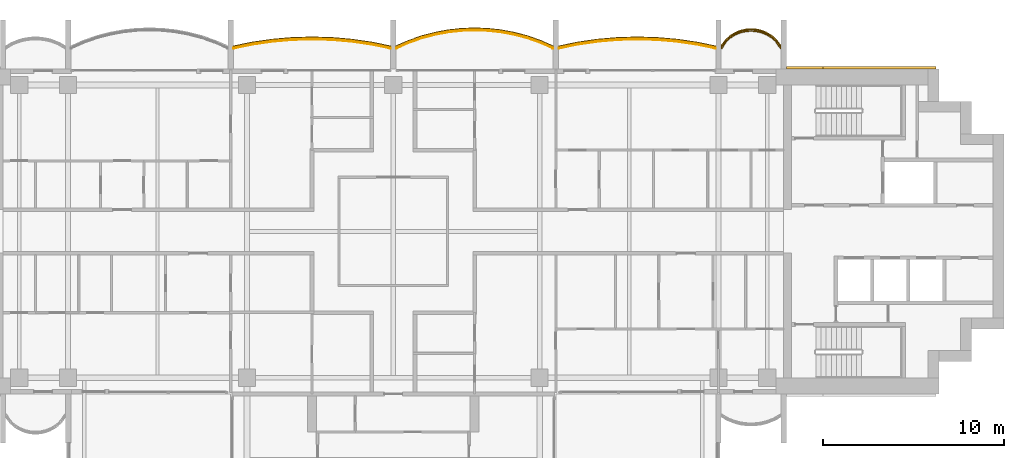
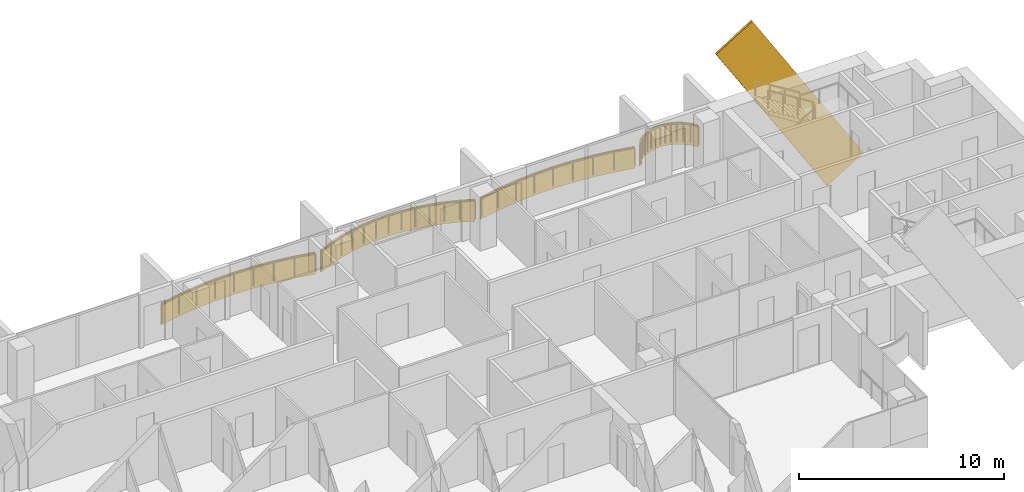
# One storey, part 18 of 18: 5 coverings, 4 railings.
"""IFC4 building model written with IfcOpenShell, lengths in metres."""

import ifcopenshell
import ifcopenshell.guid

model = None  # the IFC model being written
_history = None  # IfcOwnerHistory: only IFC2X3 demands one
_inside = {}  # id of a spatial element -> (the spatial element, [elements in it])
_under = {}  # id of a project, library or spatial element -> (it, [spatial elements below it])
_declared = {}  # id of a project -> (the project, [libraries it declares])
_typed = {}  # id of a type object -> (the type object, [elements of that type])
_made_of = {}  # id of a material, layer set ... -> (it, [elements and type objects made of it])


def new_model(schema):
    """Start an empty IFC model of exactly this schema.

    Asked for "IFC4X3", IfcOpenShell would pick the latest addendum, in which some entities
    have other attributes; the version numbers below select the first issue.
    IFC2X3 requires an IfcOwnerHistory on every rooted entity: one is made here for all.
    """
    global model, _history
    if schema == "IFC4X3":
        model = ifcopenshell.file(schema_version=(4, 3, 0, 0))
    else:
        model = ifcopenshell.file(schema=schema)
    _inside.clear()
    _under.clear()
    _declared.clear()
    _typed.clear()
    _made_of.clear()
    _history = None
    if model.schema == "IFC2X3":
        org = make("IfcOrganization", Name="unknown")
        user = make(
            "IfcPersonAndOrganization",
            ThePerson=make("IfcPerson", FamilyName="unknown"),
            TheOrganization=org,
        )
        app = make(
            "IfcApplication",
            ApplicationDeveloper=org,
            Version="unknown",
            ApplicationFullName="unknown",
            ApplicationIdentifier="unknown",
        )
        _history = make(
            "IfcOwnerHistory",
            OwningUser=user,
            OwningApplication=app,
            ChangeAction="ADDED",
            CreationDate=0,
        )
    return model


def make(cls, **values):
    """One entity of the class cls with the attributes given. An attribute that is None is left unset."""
    return model.create_entity(
        cls, **{name: value for name, value in values.items() if value is not None}
    )


def rooted(cls, **values):
    """An entity with a GlobalId (a new one), such as an element, a storey or a relation."""
    return make(cls, GlobalId=ifcopenshell.guid.new(), OwnerHistory=_history, **values)


def si_unit(unit_type, name, prefix=None):
    """IfcSIUnit, for example si_unit("LENGTHUNIT", "METRE", prefix="MILLI")."""
    return make("IfcSIUnit", UnitType=unit_type, Prefix=prefix, Name=name)


def assignment(units):
    """IfcUnitAssignment: the units of a project."""
    return None if units is None else make("IfcUnitAssignment", Units=units)


def point(xyz):
    """IfcCartesianPoint."""
    return None if xyz is None else make("IfcCartesianPoint", Coordinates=xyz)


def direction(xyz):
    """IfcDirection."""
    return None if xyz is None else make("IfcDirection", DirectionRatios=xyz)


def frame(location, z_axis=None, x_axis=None):
    """IfcAxis2Placement3D, a coordinate frame: its origin and axes. An axis left out is left unset."""
    return make(
        "IfcAxis2Placement3D",
        Location=point(location),
        Axis=direction(z_axis),
        RefDirection=direction(x_axis),
    )


def frame_2d(location, x_axis=None):
    """IfcAxis2Placement2D, a coordinate frame in the plane: its origin and x axis."""
    return make(
        "IfcAxis2Placement2D", Location=point(location), RefDirection=direction(x_axis)
    )


def origin():
    """The frame at (0, 0, 0) with its axes left unset."""
    return frame((0.0, 0.0, 0.0))


def origin_2d():
    """The frame at (0, 0) in the plane with its x axis left unset."""
    return frame_2d((0.0, 0.0))


def place(relative_to, where):
    """IfcLocalPlacement: puts the frame where relative to a parent placement (None: the world)."""
    return make(
        "IfcLocalPlacement", PlacementRelTo=relative_to, RelativePlacement=where
    )


def context(
    kind, dimensions, precision=None, world=None, true_north=None, identifier=None
):
    """IfcGeometricRepresentationContext, for example the 3D "Model" context."""
    return make(
        "IfcGeometricRepresentationContext",
        ContextIdentifier=identifier,
        ContextType=kind,
        CoordinateSpaceDimension=dimensions,
        Precision=precision,
        WorldCoordinateSystem=world,
        TrueNorth=true_north,
    )


def subcontext(parent, identifier, kind, view, scale=None):
    """IfcGeometricRepresentationSubContext, for example "Body" below "Model"."""
    return make(
        "IfcGeometricRepresentationSubContext",
        ContextIdentifier=identifier,
        ContextType=kind,
        ParentContext=parent,
        TargetScale=scale,
        TargetView=view,
    )


def project(units=None, contexts=None):
    """IfcProject with its units and contexts."""
    return rooted(
        "IfcProject",
        Name="project",
        RepresentationContexts=contexts,
        UnitsInContext=assignment(units),
    )


def spatial(cls, under=None, at=None, **own):
    """A site, building, storey or space (cls), placed at a placement, below another one or the project."""
    s = rooted(cls, ObjectPlacement=at, **own)
    if under is not None:
        _under.setdefault(under.id(), (under, []))[1].append(s)
    return s


def polyline(points):
    """IfcPolyline through the points."""
    return make("IfcPolyline", Points=[point(p) for p in points])


def profile(cls, at=None, kind="AREA", **sizes):
    """A parametric profile (cls). Its sizes go by their IFC names, for example OverallWidth=200.0."""
    return make(cls, ProfileType=kind, Position=at, **sizes)


def rectangle(**sizes):
    """IfcRectangleProfileDef."""
    return profile("IfcRectangleProfileDef", **sizes)


def outline(outer, holes=None, kind="AREA"):
    """IfcArbitraryClosedProfileDef: a profile drawn as a closed curve; with holes, ...WithVoids."""
    if holes is None:
        return make("IfcArbitraryClosedProfileDef", ProfileType=kind, OuterCurve=outer)
    return make(
        "IfcArbitraryProfileDefWithVoids",
        ProfileType=kind,
        OuterCurve=outer,
        InnerCurves=holes,
    )


def extrude(swept, where, along, depth):
    """IfcExtrudedAreaSolid: the profile swept, set in the frame where, extruded along a direction by depth."""
    return make(
        "IfcExtrudedAreaSolid",
        SweptArea=swept,
        Position=where,
        ExtrudedDirection=direction(along),
        Depth=depth,
    )


def shape(context_of_items, identifier, shape_type, items):
    """IfcShapeRepresentation: the items that make up one representation, for example the "Body"."""
    return make(
        "IfcShapeRepresentation",
        ContextOfItems=context_of_items,
        RepresentationIdentifier=identifier,
        RepresentationType=shape_type,
        Items=items,
    )


def material(Name=None, Category=None):
    """IfcMaterial."""
    return make("IfcMaterial", Name=Name, Category=Category)


def layer(
    of_material, thickness, ventilated=None, Name=None, Category=None, Priority=None
):
    """IfcMaterialLayer: one layer of a wall or slab, of a material (None: an air gap)."""
    return make(
        "IfcMaterialLayer",
        Material=of_material,
        LayerThickness=thickness,
        IsVentilated=ventilated,
        Name=Name,
        Category=Category,
        Priority=Priority,
    )


def layer_set(layers, Name=None):
    """IfcMaterialLayerSet."""
    return make("IfcMaterialLayerSet", MaterialLayers=layers, LayerSetName=Name)


def material_profile(
    of_material, cross_section, Name=None, Category=None, Priority=None
):
    """IfcMaterialProfile: a cross section and its material."""
    return make(
        "IfcMaterialProfile",
        Name=Name,
        Material=of_material,
        Profile=cross_section,
        Priority=Priority,
        Category=Category,
    )


def profile_set(profiles, Name=None, composite=None):
    """IfcMaterialProfileSet."""
    return make(
        "IfcMaterialProfileSet",
        Name=Name,
        MaterialProfiles=profiles,
        CompositeProfile=composite,
    )


def made_of(thing, what):
    """Note that an element or type object is made of a material, layer set ...; save() writes the relation."""
    if what is not None:
        _made_of.setdefault(what.id(), (what, []))[1].append(thing)
    return thing


def type_object(cls, material=None, **own):
    """A type object (cls), such as IfcWallType, which elements share."""
    return made_of(rooted(cls, **own), material)


def element(
    cls,
    number,
    at=None,
    inside=None,
    cuts=None,
    type_object=None,
    material=None,
    context=None,
    identifier="Body",
    shape_type=None,
    held_by="IfcProductDefinitionShape",
    body=None,
    shapes=None,
    **own,
):
    """One element of the class cls, such as IfcWall. Its Tag is "e" and its number.

    at: its placement. inside: the storey or other place that contains it. cuts: it is an
    opening in that element (IfcRelVoidsElement). A single representation is given by context,
    identifier, shape_type and body (its items); several are given by shapes. held_by: the class
    of the entity that holds the representations. save() writes the other relations.
    """
    e = rooted(cls, Tag="e%d" % number, ObjectPlacement=at, **own)
    if body is not None:
        shapes = [shape(context, identifier, shape_type, body)]
    if shapes is not None:
        e.Representation = make(held_by, Representations=shapes)
    if inside is not None:
        _inside.setdefault(inside.id(), (inside, []))[1].append(e)
    if cuts is not None:
        rooted(
            "IfcRelVoidsElement", RelatingBuildingElement=cuts, RelatedOpeningElement=e
        )
    if type_object is not None:
        _typed.setdefault(type_object.id(), (type_object, []))[1].append(e)
    return made_of(e, material)


def aggregate(whole, parts):
    """IfcRelAggregates: a whole, such as a stair, and the parts it consists of."""
    return rooted("IfcRelAggregates", RelatingObject=whole, RelatedObjects=parts)


def save(model, path):
    """Write the relations noted so far, then the file.

    IfcRelAggregates (storeys below a building ...), IfcRelContainedInSpatialStructure (elements
    in a storey), IfcRelDefinesByType, IfcRelAssociatesMaterial and IfcRelDeclares: one each for
    every whole, place, type object, material and project.
    """
    for whole, parts in _under.values():
        aggregate(whole, parts)
    for where, things in _inside.values():
        rooted(
            "IfcRelContainedInSpatialStructure",
            RelatedElements=things,
            RelatingStructure=where,
        )
    for kind, things in _typed.values():
        rooted("IfcRelDefinesByType", RelatedObjects=things, RelatingType=kind)
    for what, things in _made_of.values():
        rooted("IfcRelAssociatesMaterial", RelatedObjects=things, RelatingMaterial=what)
    for by, libraries in _declared.values():
        rooted("IfcRelDeclares", RelatingContext=by, RelatedDefinitions=libraries)
    model.write(path)


model = new_model("IFC4")

# Units and contexts
model_context = context("Model", 3, precision=1e-05, world=origin(), true_north=direction((0.0, 1.0)))
body_context = subcontext(model_context, "Body", "Model", "MODEL_VIEW")
ifc_project = project(units=[si_unit("LENGTHUNIT", "METRE"), si_unit("AREAUNIT", "SQUARE_METRE"), si_unit("VOLUMEUNIT", "CUBIC_METRE"), si_unit("PLANEANGLEUNIT", "RADIAN"), si_unit("MASSUNIT", "GRAM", prefix="KILO")], contexts=[model_context])

# Site, building, storey
site_placement = place(None, origin())
site = spatial("IfcSite", under=ifc_project, at=site_placement, CompositionType="ELEMENT")
building_placement = place(site_placement, origin())
building = spatial("IfcBuilding", under=site, at=building_placement, Name="Perihelion Cross Residences", CompositionType="ELEMENT")
storey_placement = place(building_placement, frame((0.0, 0.0, 219.10009765625)))
storey = spatial("IfcBuildingStorey", under=building, at=storey_placement, Name="L55", CompositionType="ELEMENT", Elevation=219.10009765625)

# Coverings
ifc_material_1 = material(Name="Bronze anodised aluminium", Category="aluminium")
ifc_layer = layer(ifc_material_1, 0.070068359375)
ifc_layer_set = layer_set([ifc_layer], Name="Balcony fascia 1300")
covering_type_1 = type_object("IfcCoveringType", Name="Balcony fascia 1300", PredefinedType="CLADDING", material=ifc_layer_set)
covering_1_placement = place(storey_placement, frame((0.0, 0.0, -0.2001953125)))
element("IfcCovering", 1, at=covering_1_placement, inside=storey, type_object=covering_type_1, Name="Fascia BF1 L55 east side north bay 1", PredefinedType="CLADDING", context=body_context, shape_type="SweptSolid", body=[
    extrude(outline(polyline([(21.226318359375, 10.616455078125), (20.94091796875, 10.86328125), (20.655517578125, 11.031494140625), (20.370361328125, 11.142578125), (20.085205078125, 11.206298828125), (19.800048828125, 11.22705078125), (19.514892578125, 11.206298828125), (19.229736328125, 11.142578125), (18.9443359375, 11.031494140625), (18.6591796875, 10.86328125), (18.373779296875, 10.616455078125), (18.14990234375, 10.31689453125), (18.14990234375, 10.199951171875), (18.425048828125, 10.568603515625), (18.699951171875, 10.806396484375), (18.97509765625, 10.96875), (19.25, 11.07568359375), (19.52490234375, 11.136962890625), (19.800048828125, 11.156982421875), (20.074951171875, 11.136962890625), (20.35009765625, 11.07568359375), (20.625, 10.96875), (20.89990234375, 10.806396484375), (21.175048828125, 10.568603515625), (21.449951171875, 10.199951171875), (21.449951171875, 10.31689453125), (21.226318359375, 10.616455078125)])), origin(), (0.0, 0.0, 1.0), 1.300048828125),
])
covering_2_placement = place(storey_placement, frame((0.0, 0.0, -0.2001953125)))
element("IfcCovering", 2, at=covering_2_placement, inside=storey, type_object=covering_type_1, Name="Fascia BF1 L55 east side north bay 2", PredefinedType="CLADDING", context=body_context, shape_type="SweptSolid", body=[
    extrude(outline(polyline([(16.7744140625, 10.4892578125), (15.682861328125, 10.645751953125), (14.591552734375, 10.739013671875), (13.5, 10.77001953125), (12.408447265625, 10.739013671875), (11.317138671875, 10.645751953125), (10.2255859375, 10.4892578125), (9.14990234375, 10.271484375), (9.14990234375, 10.199951171875), (10.237548828125, 10.42041015625), (11.324951171875, 10.576171875), (12.41259765625, 10.669189453125), (13.5, 10.699951171875), (14.58740234375, 10.669189453125), (15.675048828125, 10.576171875), (16.762451171875, 10.42041015625), (17.85009765625, 10.199951171875), (17.85009765625, 10.271484375), (16.7744140625, 10.4892578125)])), origin(), (0.0, 0.0, 1.0), 1.300048828125),
])
covering_3_placement = place(storey_placement, frame((0.0, 0.0, -0.2001953125)))
element("IfcCovering", 3, at=covering_3_placement, inside=storey, type_object=covering_type_1, Name="Fascia BF1 L55 north side east bay 1", PredefinedType="CLADDING", context=body_context, shape_type="SweptSolid", body=[
    extrude(outline(polyline([(8.150634765625, 10.582275390625), (7.42041015625, 10.83544921875), (6.690185546875, 11.028076171875), (5.960205078125, 11.1630859375), (5.22998046875, 11.243408203125), (4.5, 11.27001953125), (3.77001953125, 11.243408203125), (3.039794921875, 11.1630859375), (2.309814453125, 11.028076171875), (1.57958984375, 10.83544921875), (0.849365234375, 10.582275390625), (0.14990234375, 10.2763671875), (0.14990234375, 10.199951171875), (0.875, 10.51708984375), (1.60009765625, 10.7685546875), (2.324951171875, 10.959716796875), (3.050048828125, 11.093994140625), (3.77490234375, 11.173583984375), (4.5, 11.199951171875), (5.22509765625, 11.173583984375), (5.949951171875, 11.093994140625), (6.675048828125, 10.959716796875), (7.39990234375, 10.7685546875), (8.125, 10.51708984375), (8.85009765625, 10.199951171875), (8.85009765625, 10.2763671875), (8.150634765625, 10.582275390625)])), origin(), (0.0, 0.0, 1.0), 1.300048828125),
])
covering_4_placement = place(storey_placement, frame((0.0, 0.0, -0.2001953125)))
element("IfcCovering", 4, at=covering_4_placement, inside=storey, type_object=covering_type_1, Name="Fascia BF1 L55 north side east bay 2", PredefinedType="CLADDING", context=body_context, shape_type="SweptSolid", body=[
    extrude(outline(polyline([(-1.2255859375, 10.4892578125), (-2.317138671875, 10.645751953125), (-3.408447265625, 10.739013671875), (-4.5, 10.77001953125), (-5.591552734375, 10.739013671875), (-6.682861328125, 10.645751953125), (-7.7744140625, 10.4892578125), (-8.85009765625, 10.271484375), (-8.85009765625, 10.199951171875), (-7.762451171875, 10.42041015625), (-6.675048828125, 10.576171875), (-5.58740234375, 10.669189453125), (-4.5, 10.699951171875), (-3.41259765625, 10.669189453125), (-2.324951171875, 10.576171875), (-1.237548828125, 10.42041015625), (-0.14990234375, 10.199951171875), (-0.14990234375, 10.271484375), (-1.2255859375, 10.4892578125)])), origin(), (0.0, 0.0, 1.0), 1.300048828125),
])

# Railings
ifc_material_2 = material(Name="Bronze anodised aluminium", Category="aluminium")
railing_type = type_object("IfcRailingType", Name="Balcony guard 1100", PredefinedType="GUARDRAIL", material=ifc_material_2)
railing_1_placement = place(storey_placement, frame((21.425048828125, 10.139892578125, 0.0)))
element("IfcRailing", 5, at=railing_1_placement, inside=storey, type_object=railing_type, Name="Guard GU1 L55 east side north bay 1 balcony", PredefinedType="GUARDRAIL", context=body_context, shape_type="SweptSolid", body=[
    extrude(rectangle(XDim=0.048095703125, YDim=0.048095703125, at=origin_2d()), frame((0.0, 0.0, 1.076171875), z_axis=(-0.561260132269, 0.827639452857, 0.0), x_axis=(-0.827639452857, -0.561260132269, 0.0)), (0.0, 0.0, 1.0), 0.4453125),
    extrude(rectangle(XDim=0.048095703125, YDim=0.048095703125, at=origin_2d()), frame((-0.25, 0.36865234375, 1.076171875), z_axis=(-0.756596535164, 0.653882009982, 0.0), x_axis=(-0.653882009982, -0.756596535164, 0.0)), (0.0, 0.0, 1.0), 0.36376953125),
    extrude(rectangle(XDim=0.048095703125, YDim=0.048095703125, at=origin_2d()), frame((-0.525146484375, 0.6064453125, 1.076171875), z_axis=(-0.861048292884, 0.508523192511, 0.0), x_axis=(-0.508523192511, -0.861048292884, 0.0)), (0.0, 0.0, 1.0), 0.3193359375),
    extrude(rectangle(XDim=0.048095703125, YDim=0.048095703125, at=origin_2d()), frame((-0.800048828125, 0.768798828125, 1.076171875), z_axis=(-0.931973602183, 0.362526143656, 0.0), x_axis=(-0.362526143656, -0.931973602183, 0.0)), (0.0, 0.0, 1.0), 0.294921875),
    extrude(rectangle(XDim=0.048095703125, YDim=0.048095703125, at=origin_2d()), frame((-1.074951171875, 0.875732421875, 1.076171875), z_axis=(-0.976085059389, 0.21738895289, 0.0), x_axis=(-0.21738895289, -0.976085059389, 0.0)), (0.0, 0.0, 1.0), 0.281982421875),
    extrude(rectangle(XDim=0.048095703125, YDim=0.048095703125, at=origin_2d()), frame((-1.35009765625, 0.93701171875, 1.076171875), z_axis=(-0.997358821833, 0.072631814734, 0.0), x_axis=(-0.072631814734, -0.997358821833, 0.0)), (0.0, 0.0, 1.0), 0.275634765625),
    extrude(rectangle(XDim=0.048095703125, YDim=0.048095703125, at=origin_2d()), frame((-1.625, 0.95703125, 1.076171875), z_axis=(-0.997363488337, -0.072567707226, 0.0), x_axis=(0.072567707226, -0.997363488337, 0.0)), (0.0, 0.0, 1.0), 0.27587890625),
    extrude(rectangle(XDim=0.048095703125, YDim=0.048095703125, at=origin_2d()), frame((-1.900146484375, 0.93701171875, 1.076171875), z_axis=(-0.976044077717, -0.217572880557, 0.0), x_axis=(0.217572880557, -0.976044077717, 0.0)), (0.0, 0.0, 1.0), 0.28173828125),
    extrude(rectangle(XDim=0.048095703125, YDim=0.048095703125, at=origin_2d()), frame((-2.175048828125, 0.875732421875, 1.076171875), z_axis=(-0.931973602183, -0.362526143656, 0.0), x_axis=(0.362526143656, -0.931973602183, 0.0)), (0.0, 0.0, 1.0), 0.294921875),
    extrude(rectangle(XDim=0.048095703125, YDim=0.048095703125, at=origin_2d()), frame((-2.449951171875, 0.768798828125, 1.076171875), z_axis=(-0.861245845072, -0.508188542123, 0.0), x_axis=(0.508188542123, -0.861245845072, 0.0)), (0.0, 0.0, 1.0), 0.319580078125),
    extrude(rectangle(XDim=0.048095703125, YDim=0.048095703125, at=origin_2d()), frame((-2.72509765625, 0.6064453125, 1.076171875), z_axis=(-0.756309278473, -0.654214242658, 0.0), x_axis=(0.654214242658, -0.756309278473, 0.0)), (0.0, 0.0, 1.0), 0.363525390625),
    extrude(rectangle(XDim=0.048095703125, YDim=0.048095703125, at=origin_2d()), frame((-3.0, 0.36865234375, 1.076171875), z_axis=(-0.561260132269, -0.827639452857, 0.0), x_axis=(0.827639452857, -0.561260132269, 0.0)), (0.0, 0.0, 1.0), 0.4453125),
    extrude(rectangle(XDim=0.0419921875, YDim=0.0419921875, at=origin_2d()), origin(), (0.0, 0.0, 1.0), 1.052001953125),
    extrude(rectangle(XDim=0.0419921875, YDim=0.0419921875, at=origin_2d()), frame((-0.25, 0.36865234375, 0.0)), (0.0, 0.0, 1.0), 1.052001953125),
    extrude(rectangle(XDim=0.0419921875, YDim=0.0419921875, at=origin_2d()), frame((-0.525146484375, 0.6064453125, 0.0)), (0.0, 0.0, 1.0), 1.052001953125),
    extrude(rectangle(XDim=0.0419921875, YDim=0.0419921875, at=origin_2d()), frame((-0.800048828125, 0.768798828125, 0.0)), (0.0, 0.0, 1.0), 1.052001953125),
    extrude(rectangle(XDim=0.0419921875, YDim=0.0419921875, at=origin_2d()), frame((-1.074951171875, 0.875732421875, 0.0)), (0.0, 0.0, 1.0), 1.052001953125),
    extrude(rectangle(XDim=0.0419921875, YDim=0.0419921875, at=origin_2d()), frame((-1.35009765625, 0.93701171875, 0.0)), (0.0, 0.0, 1.0), 1.052001953125),
    extrude(rectangle(XDim=0.0419921875, YDim=0.0419921875, at=origin_2d()), frame((-1.625, 0.95703125, 0.0)), (0.0, 0.0, 1.0), 1.052001953125),
    extrude(rectangle(XDim=0.0419921875, YDim=0.0419921875, at=origin_2d()), frame((-1.900146484375, 0.93701171875, 0.0)), (0.0, 0.0, 1.0), 1.052001953125),
    extrude(rectangle(XDim=0.0419921875, YDim=0.0419921875, at=origin_2d()), frame((-2.175048828125, 0.875732421875, 0.0)), (0.0, 0.0, 1.0), 1.052001953125),
    extrude(rectangle(XDim=0.0419921875, YDim=0.0419921875, at=origin_2d()), frame((-2.449951171875, 0.768798828125, 0.0)), (0.0, 0.0, 1.0), 1.052001953125),
    extrude(rectangle(XDim=0.0419921875, YDim=0.0419921875, at=origin_2d()), frame((-2.72509765625, 0.6064453125, 0.0)), (0.0, 0.0, 1.0), 1.052001953125),
    extrude(rectangle(XDim=0.0419921875, YDim=0.0419921875, at=origin_2d()), frame((-3.0, 0.36865234375, 0.0)), (0.0, 0.0, 1.0), 1.052001953125),
    extrude(rectangle(XDim=0.0419921875, YDim=0.0419921875, at=origin_2d()), frame((-3.25, 0.0, 0.0)), (0.0, 0.0, 1.0), 1.052001953125),
])
railing_2_placement = place(storey_placement, frame((17.824951171875, 10.139892578125, 0.0)))
element("IfcRailing", 6, at=railing_2_placement, inside=storey, type_object=railing_type, Name="Guard GU1 L55 east side north bay 2 balcony", PredefinedType="GUARDRAIL", context=body_context, shape_type="SweptSolid", body=[
    extrude(rectangle(XDim=0.048095703125, YDim=0.048095703125, at=origin_2d()), frame((0.0, 0.0, 1.076171875), z_axis=(-0.979144816647, 0.203163549961, 0.0), x_axis=(-0.203163549961, -0.979144816647, 0.0)), (0.0, 0.0, 1.0), 1.085205078125),
    extrude(rectangle(XDim=0.048095703125, YDim=0.048095703125, at=origin_2d()), frame((-1.0625, 0.220458984375, 1.076171875), z_axis=(-0.98989608354, 0.141794724135, 0.0), x_axis=(-0.141794724135, -0.98989608354, 0.0)), (0.0, 0.0, 1.0), 1.098388671875),
    extrude(rectangle(XDim=0.048095703125, YDim=0.048095703125, at=origin_2d()), frame((-2.14990234375, 0.376220703125, 1.076171875), z_axis=(-0.996362942492, 0.085210837506, 0.0), x_axis=(-0.085210837506, -0.996362942492, 0.0)), (0.0, 0.0, 1.0), 1.091552734375),
    extrude(rectangle(XDim=0.048095703125, YDim=0.048095703125, at=origin_2d()), frame((-3.237548828125, 0.46923828125, 1.076171875), z_axis=(-0.999600101203, 0.028277865458, 0.0), x_axis=(-0.028277865458, -0.999600101203, 0.0)), (0.0, 0.0, 1.0), 1.087890625),
    extrude(rectangle(XDim=0.048095703125, YDim=0.048095703125, at=origin_2d()), frame((-4.324951171875, 0.5, 1.076171875), z_axis=(-0.999600101203, -0.028277865458, 0.0), x_axis=(0.028277865458, -0.999600101203, 0.0)), (0.0, 0.0, 1.0), 1.087890625),
    extrude(rectangle(XDim=0.048095703125, YDim=0.048095703125, at=origin_2d()), frame((-5.412353515625, 0.46923828125, 1.076171875), z_axis=(-0.996362942492, -0.085210837506, 0.0), x_axis=(0.085210837506, -0.996362942492, 0.0)), (0.0, 0.0, 1.0), 1.091552734375),
    extrude(rectangle(XDim=0.048095703125, YDim=0.048095703125, at=origin_2d()), frame((-6.5, 0.376220703125, 1.076171875), z_axis=(-0.98989608354, -0.141794724135, 0.0), x_axis=(0.141794724135, -0.98989608354, 0.0)), (0.0, 0.0, 1.0), 1.098388671875),
    extrude(rectangle(XDim=0.048095703125, YDim=0.048095703125, at=origin_2d()), frame((-7.58740234375, 0.220458984375, 1.076171875), z_axis=(-0.979144816647, -0.203163549961, 0.0), x_axis=(0.203163549961, -0.979144816647, 0.0)), (0.0, 0.0, 1.0), 1.085205078125),
    extrude(rectangle(XDim=0.0419921875, YDim=0.0419921875, at=origin_2d()), origin(), (0.0, 0.0, 1.0), 1.052001953125),
    extrude(rectangle(XDim=0.0419921875, YDim=0.0419921875, at=origin_2d()), frame((-1.0625, 0.220458984375, 0.0)), (0.0, 0.0, 1.0), 1.052001953125),
    extrude(rectangle(XDim=0.0419921875, YDim=0.0419921875, at=origin_2d()), frame((-2.14990234375, 0.376220703125, 0.0)), (0.0, 0.0, 1.0), 1.052001953125),
    extrude(rectangle(XDim=0.0419921875, YDim=0.0419921875, at=origin_2d()), frame((-3.237548828125, 0.46923828125, 0.0)), (0.0, 0.0, 1.0), 1.052001953125),
    extrude(rectangle(XDim=0.0419921875, YDim=0.0419921875, at=origin_2d()), frame((-4.324951171875, 0.5, 0.0)), (0.0, 0.0, 1.0), 1.052001953125),
    extrude(rectangle(XDim=0.0419921875, YDim=0.0419921875, at=origin_2d()), frame((-5.412353515625, 0.46923828125, 0.0)), (0.0, 0.0, 1.0), 1.052001953125),
    extrude(rectangle(XDim=0.0419921875, YDim=0.0419921875, at=origin_2d()), frame((-6.5, 0.376220703125, 0.0)), (0.0, 0.0, 1.0), 1.052001953125),
    extrude(rectangle(XDim=0.0419921875, YDim=0.0419921875, at=origin_2d()), frame((-7.58740234375, 0.220458984375, 0.0)), (0.0, 0.0, 1.0), 1.052001953125),
    extrude(rectangle(XDim=0.0419921875, YDim=0.0419921875, at=origin_2d()), frame((-8.64990234375, 0.0, 0.0)), (0.0, 0.0, 1.0), 1.052001953125),
])
railing_3_placement = place(storey_placement, frame((8.824951171875, 10.139892578125, 0.0)))
element("IfcRailing", 7, at=railing_3_placement, inside=storey, type_object=railing_type, Name="Guard GU1 L55 north side east bay 1 balcony", PredefinedType="GUARDRAIL", context=body_context, shape_type="SweptSolid", body=[
    extrude(rectangle(XDim=0.048095703125, YDim=0.048095703125, at=origin_2d()), frame((0.0, 0.0, 1.076171875), z_axis=(-0.910866309087, 0.412701547089, 0.0), x_axis=(-0.412701547089, -0.910866309087, 0.0)), (0.0, 0.0, 1.0), 0.7685546875),
    extrude(rectangle(XDim=0.048095703125, YDim=0.048095703125, at=origin_2d()), frame((-0.699951171875, 0.317138671875, 1.076171875), z_axis=(-0.944796812452, 0.327656807012, 0.0), x_axis=(-0.327656807012, -0.944796812452, 0.0)), (0.0, 0.0, 1.0), 0.767578125),
    extrude(rectangle(XDim=0.048095703125, YDim=0.048095703125, at=origin_2d()), frame((-1.425048828125, 0.568603515625, 1.076171875), z_axis=(-0.966939404945, 0.255006249266, 0.0), x_axis=(-0.255006249266, -0.966939404945, 0.0)), (0.0, 0.0, 1.0), 0.749755859375),
    extrude(rectangle(XDim=0.048095703125, YDim=0.048095703125, at=origin_2d()), frame((-2.14990234375, 0.759765625, 1.076171875), z_axis=(-0.983282004984, 0.182089260182, 0.0), x_axis=(-0.182089260182, -0.983282004984, 0.0)), (0.0, 0.0, 1.0), 0.7373046875),
    extrude(rectangle(XDim=0.048095703125, YDim=0.048095703125, at=origin_2d()), frame((-2.875, 0.89404296875, 1.076171875), z_axis=(-0.994025805622, 0.109145305703, 0.0), x_axis=(-0.109145305703, -0.994025805622, 0.0)), (0.0, 0.0, 1.0), 0.729248046875),
    extrude(rectangle(XDim=0.048095703125, YDim=0.048095703125, at=origin_2d()), frame((-3.599853515625, 0.9736328125, 1.076171875), z_axis=(-0.999339497946, 0.036339618107, 0.0), x_axis=(-0.036339618107, -0.999339497946, 0.0)), (0.0, 0.0, 1.0), 0.7255859375),
    extrude(rectangle(XDim=0.048095703125, YDim=0.048095703125, at=origin_2d()), frame((-4.324951171875, 1.0, 1.076171875), z_axis=(-0.999339497946, -0.036339618107, 0.0), x_axis=(0.036339618107, -0.999339497946, 0.0)), (0.0, 0.0, 1.0), 0.7255859375),
    extrude(rectangle(XDim=0.048095703125, YDim=0.048095703125, at=origin_2d()), frame((-5.050048828125, 0.9736328125, 1.076171875), z_axis=(-0.994025805622, -0.109145305703, 0.0), x_axis=(0.109145305703, -0.994025805622, 0.0)), (0.0, 0.0, 1.0), 0.729248046875),
    extrude(rectangle(XDim=0.048095703125, YDim=0.048095703125, at=origin_2d()), frame((-5.77490234375, 0.89404296875, 1.076171875), z_axis=(-0.983282004984, -0.182089260182, 0.0), x_axis=(0.182089260182, -0.983282004984, 0.0)), (0.0, 0.0, 1.0), 0.7373046875),
    extrude(rectangle(XDim=0.048095703125, YDim=0.048095703125, at=origin_2d()), frame((-6.5, 0.759765625, 1.076171875), z_axis=(-0.966939404945, -0.255006249266, 0.0), x_axis=(0.255006249266, -0.966939404945, 0.0)), (0.0, 0.0, 1.0), 0.749755859375),
    extrude(rectangle(XDim=0.048095703125, YDim=0.048095703125, at=origin_2d()), frame((-7.224853515625, 0.568603515625, 1.076171875), z_axis=(-0.944796812452, -0.327656807012, 0.0), x_axis=(0.327656807012, -0.944796812452, 0.0)), (0.0, 0.0, 1.0), 0.767578125),
    extrude(rectangle(XDim=0.048095703125, YDim=0.048095703125, at=origin_2d()), frame((-7.949951171875, 0.317138671875, 1.076171875), z_axis=(-0.910866309087, -0.412701547089, 0.0), x_axis=(0.412701547089, -0.910866309087, 0.0)), (0.0, 0.0, 1.0), 0.7685546875),
    extrude(rectangle(XDim=0.0419921875, YDim=0.0419921875, at=origin_2d()), origin(), (0.0, 0.0, 1.0), 1.052001953125),
    extrude(rectangle(XDim=0.0419921875, YDim=0.0419921875, at=origin_2d()), frame((-0.699951171875, 0.317138671875, 0.0)), (0.0, 0.0, 1.0), 1.052001953125),
    extrude(rectangle(XDim=0.0419921875, YDim=0.0419921875, at=origin_2d()), frame((-1.425048828125, 0.568603515625, 0.0)), (0.0, 0.0, 1.0), 1.052001953125),
    extrude(rectangle(XDim=0.0419921875, YDim=0.0419921875, at=origin_2d()), frame((-2.14990234375, 0.759765625, 0.0)), (0.0, 0.0, 1.0), 1.052001953125),
    extrude(rectangle(XDim=0.0419921875, YDim=0.0419921875, at=origin_2d()), frame((-2.875, 0.89404296875, 0.0)), (0.0, 0.0, 1.0), 1.052001953125),
    extrude(rectangle(XDim=0.0419921875, YDim=0.0419921875, at=origin_2d()), frame((-3.599853515625, 0.9736328125, 0.0)), (0.0, 0.0, 1.0), 1.052001953125),
    extrude(rectangle(XDim=0.0419921875, YDim=0.0419921875, at=origin_2d()), frame((-4.324951171875, 1.0, 0.0)), (0.0, 0.0, 1.0), 1.052001953125),
    extrude(rectangle(XDim=0.0419921875, YDim=0.0419921875, at=origin_2d()), frame((-5.050048828125, 0.9736328125, 0.0)), (0.0, 0.0, 1.0), 1.052001953125),
    extrude(rectangle(XDim=0.0419921875, YDim=0.0419921875, at=origin_2d()), frame((-5.77490234375, 0.89404296875, 0.0)), (0.0, 0.0, 1.0), 1.052001953125),
    extrude(rectangle(XDim=0.0419921875, YDim=0.0419921875, at=origin_2d()), frame((-6.5, 0.759765625, 0.0)), (0.0, 0.0, 1.0), 1.052001953125),
    extrude(rectangle(XDim=0.0419921875, YDim=0.0419921875, at=origin_2d()), frame((-7.224853515625, 0.568603515625, 0.0)), (0.0, 0.0, 1.0), 1.052001953125),
    extrude(rectangle(XDim=0.0419921875, YDim=0.0419921875, at=origin_2d()), frame((-7.949951171875, 0.317138671875, 0.0)), (0.0, 0.0, 1.0), 1.052001953125),
    extrude(rectangle(XDim=0.0419921875, YDim=0.0419921875, at=origin_2d()), frame((-8.64990234375, 0.0, 0.0)), (0.0, 0.0, 1.0), 1.052001953125),
])
railing_4_placement = place(storey_placement, frame((-0.175048828125, 10.139892578125, 0.0)))
element("IfcRailing", 8, at=railing_4_placement, inside=storey, type_object=railing_type, Name="Guard GU1 L55 north side east bay 2 balcony", PredefinedType="GUARDRAIL", context=body_context, shape_type="SweptSolid", body=[
    extrude(rectangle(XDim=0.048095703125, YDim=0.048095703125, at=origin_2d()), frame((0.0, 0.0, 1.076171875), z_axis=(-0.979144816647, 0.203163549961, 0.0), x_axis=(-0.203163549961, -0.979144816647, 0.0)), (0.0, 0.0, 1.0), 1.085205078125),
    extrude(rectangle(XDim=0.048095703125, YDim=0.048095703125, at=origin_2d()), frame((-1.0625, 0.220458984375, 1.076171875), z_axis=(-0.98989608354, 0.141794724135, 0.0), x_axis=(-0.141794724135, -0.98989608354, 0.0)), (0.0, 0.0, 1.0), 1.098388671875),
    extrude(rectangle(XDim=0.048095703125, YDim=0.048095703125, at=origin_2d()), frame((-2.14990234375, 0.376220703125, 1.076171875), z_axis=(-0.996362942492, 0.085210837506, 0.0), x_axis=(-0.085210837506, -0.996362942492, 0.0)), (0.0, 0.0, 1.0), 1.091552734375),
    extrude(rectangle(XDim=0.048095703125, YDim=0.048095703125, at=origin_2d()), frame((-3.237548828125, 0.46923828125, 1.076171875), z_axis=(-0.999600101203, 0.028277865458, 0.0), x_axis=(-0.028277865458, -0.999600101203, 0.0)), (0.0, 0.0, 1.0), 1.087890625),
    extrude(rectangle(XDim=0.048095703125, YDim=0.048095703125, at=origin_2d()), frame((-4.324951171875, 0.5, 1.076171875), z_axis=(-0.999600101203, -0.028277865458, 0.0), x_axis=(0.028277865458, -0.999600101203, 0.0)), (0.0, 0.0, 1.0), 1.087890625),
    extrude(rectangle(XDim=0.048095703125, YDim=0.048095703125, at=origin_2d()), frame((-5.412353515625, 0.46923828125, 1.076171875), z_axis=(-0.996362942492, -0.085210837506, 0.0), x_axis=(0.085210837506, -0.996362942492, 0.0)), (0.0, 0.0, 1.0), 1.091552734375),
    extrude(rectangle(XDim=0.048095703125, YDim=0.048095703125, at=origin_2d()), frame((-6.5, 0.376220703125, 1.076171875), z_axis=(-0.98989608354, -0.141794724135, 0.0), x_axis=(0.141794724135, -0.98989608354, 0.0)), (0.0, 0.0, 1.0), 1.098388671875),
    extrude(rectangle(XDim=0.048095703125, YDim=0.048095703125, at=origin_2d()), frame((-7.58740234375, 0.220458984375, 1.076171875), z_axis=(-0.979144816647, -0.203163549961, 0.0), x_axis=(0.203163549961, -0.979144816647, 0.0)), (0.0, 0.0, 1.0), 1.085205078125),
    extrude(rectangle(XDim=0.0419921875, YDim=0.0419921875, at=origin_2d()), origin(), (0.0, 0.0, 1.0), 1.052001953125),
    extrude(rectangle(XDim=0.0419921875, YDim=0.0419921875, at=origin_2d()), frame((-1.0625, 0.220458984375, 0.0)), (0.0, 0.0, 1.0), 1.052001953125),
    extrude(rectangle(XDim=0.0419921875, YDim=0.0419921875, at=origin_2d()), frame((-2.14990234375, 0.376220703125, 0.0)), (0.0, 0.0, 1.0), 1.052001953125),
    extrude(rectangle(XDim=0.0419921875, YDim=0.0419921875, at=origin_2d()), frame((-3.237548828125, 0.46923828125, 0.0)), (0.0, 0.0, 1.0), 1.052001953125),
    extrude(rectangle(XDim=0.0419921875, YDim=0.0419921875, at=origin_2d()), frame((-4.324951171875, 0.5, 0.0)), (0.0, 0.0, 1.0), 1.052001953125),
    extrude(rectangle(XDim=0.0419921875, YDim=0.0419921875, at=origin_2d()), frame((-5.412353515625, 0.46923828125, 0.0)), (0.0, 0.0, 1.0), 1.052001953125),
    extrude(rectangle(XDim=0.0419921875, YDim=0.0419921875, at=origin_2d()), frame((-6.5, 0.376220703125, 0.0)), (0.0, 0.0, 1.0), 1.052001953125),
    extrude(rectangle(XDim=0.0419921875, YDim=0.0419921875, at=origin_2d()), frame((-7.58740234375, 0.220458984375, 0.0)), (0.0, 0.0, 1.0), 1.052001953125),
    extrude(rectangle(XDim=0.0419921875, YDim=0.0419921875, at=origin_2d()), frame((-8.64990234375, 0.0, 0.0)), (0.0, 0.0, 1.0), 1.052001953125),
])

# Covering
ifc_material_3 = material(Name="Bronze anodised aluminium", Category="aluminium")
ifc_material_profile = material_profile(ifc_material_3, rectangle(XDim=0.125, YDim=2.39990234375, at=origin_2d()), Name="Bronze cladding band 2400")
ifc_profile_set = profile_set([ifc_material_profile], Name="Bronze anodised aluminium")
covering_type_2 = type_object("IfcCoveringType", Name="Bronze cladding band 2400", PredefinedType="CLADDING", material=ifc_profile_set)
covering_5_placement = place(storey_placement, frame((29.0322265625, 9.0625, -3.438232421875), z_axis=(-0.529924684379, 0.0, 0.848044709249), x_axis=(0.0, -1.0, 0.0)))
element("IfcCovering", 9, at=covering_5_placement, inside=storey, type_object=covering_type_2, Name="Core cladding band, east core", PredefinedType="CLADDING", context=body_context, shape_type="SweptSolid", body=[
    extrude(rectangle(XDim=0.125, YDim=2.39990234375, at=origin_2d()), origin(), (0.0, 0.0, 1.0), 11.82177734375),
])

save(model, "model.ifc")
